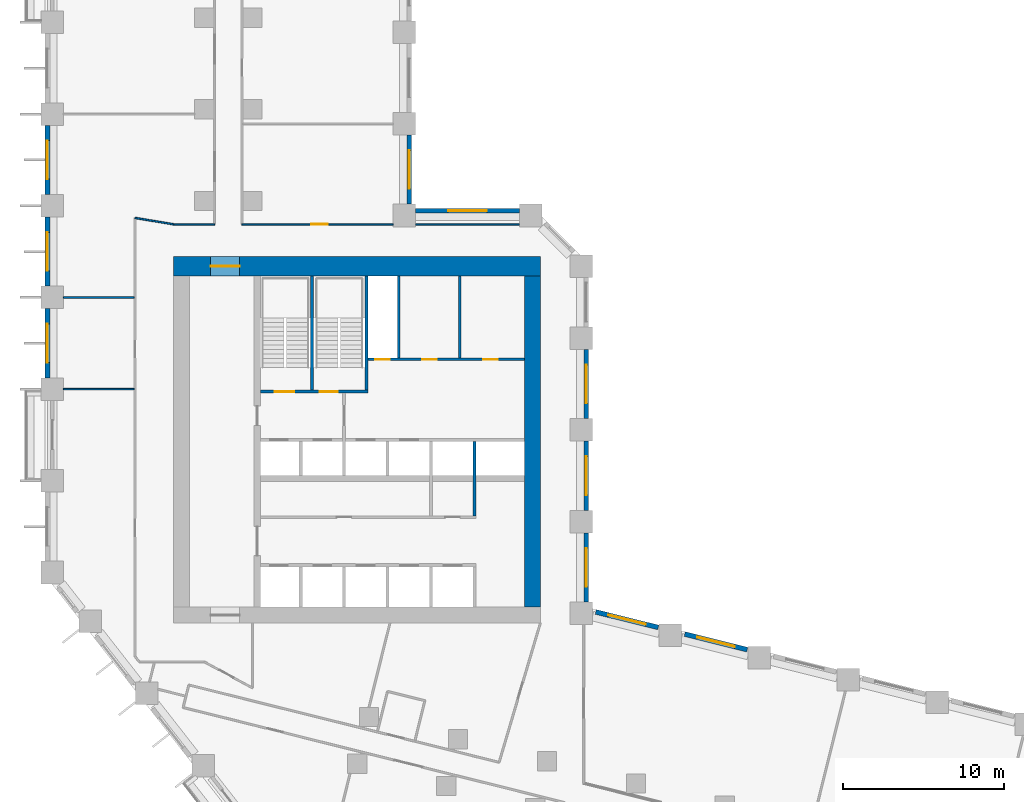
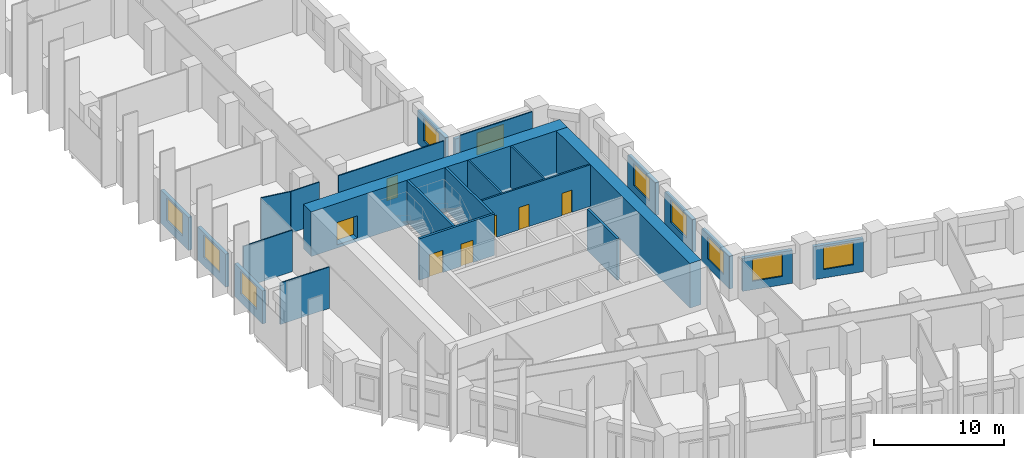
# One storey, part 6 of 12: 25 walls, 10 windows, 7 doors, 17 openings.
"""IFC4 building model written with IfcOpenShell, lengths in metres."""

from ifc_helpers import new_model, si_unit, direction, frame, frame_2d, origin, place, context, subcontext, project, spatial, rectangle, extrude, material, layer, layer_set, type_object, element, fill, save


model = new_model("IFC4")

# Units and contexts
model_context = context("Model", 3, precision=1e-05, world=origin(), true_north=direction((0.0, 1.0)))
body_context = subcontext(model_context, "Body", "Model", "MODEL_VIEW")
ifc_project = project(units=[si_unit("LENGTHUNIT", "METRE"), si_unit("AREAUNIT", "SQUARE_METRE"), si_unit("VOLUMEUNIT", "CUBIC_METRE"), si_unit("PLANEANGLEUNIT", "RADIAN"), si_unit("MASSUNIT", "GRAM", prefix="KILO")], contexts=[model_context])

# Site, building, storey
site_placement = place(None, origin())
site = spatial("IfcSite", under=ifc_project, at=site_placement, CompositionType="ELEMENT")
building_placement = place(site_placement, origin())
building = spatial("IfcBuilding", under=site, at=building_placement, Name="Meshkara Civic Tower", CompositionType="ELEMENT")
storey_placement = place(building_placement, frame((0.0, 0.0, 83.39990234375)))
storey = spatial("IfcBuildingStorey", under=building, at=storey_placement, Name="L18", CompositionType="ELEMENT", Elevation=83.39990234375)

# Wall, openings, doors
ifc_material_1 = material(Name="Blockwork", Category="masonry")
ifc_layer_1 = layer(ifc_material_1, 0.14990234375)
ifc_layer_set_1 = layer_set([ifc_layer_1], Name="Core partition 150")
wall_type_1 = type_object("IfcWallType", Name="Core partition 150", PredefinedType="PARTITIONING", material=ifc_layer_set_1)
wall_1_placement = place(storey_placement, frame((20.10009765625, 30.5, 0.0), z_axis=(0.0, 0.0, 1.0), x_axis=(1.0, 0.0, 0.0)))
wall_1 = element("IfcWall", 1, at=wall_1_placement, inside=storey, type_object=wall_type_1, Name="L18-C010", PredefinedType="PARTITIONING", context=body_context, shape_type="SweptSolid", body=[
    extrude(rectangle(XDim=9.699951171875, YDim=0.14990234375, at=frame_2d((4.85009765625, 0.0))), origin(), (0.0, 0.0, 1.0), 3.900146484375),
])
opening_1_placement = place(wall_1_placement, frame((0.449951171875, 0.0, 0.0)))
opening_1 = element("IfcOpeningElement", 2, at=opening_1_placement, cuts=wall_1, Name="Opening L18-K012", PredefinedType="OPENING", context=body_context, shape_type="SweptSolid", body=[
    extrude(rectangle(XDim=0.89990234375, YDim=2.10009765625, at=frame_2d((0.449951171875, 1.050048828125))), frame((0.0, 0.0849609375, 0.0), z_axis=(0.0, -1.0, 0.0), x_axis=(1.0, 0.0, 0.0)), (0.0, 0.0, 1.0), 0.169921875),
])
opening_2_placement = place(wall_1_placement, frame((3.35009765625, 0.0, 0.0)))
opening_2 = element("IfcOpeningElement", 3, at=opening_2_placement, cuts=wall_1, Name="Opening L18-K013", PredefinedType="OPENING", context=body_context, shape_type="SweptSolid", body=[
    extrude(rectangle(XDim=0.89990234375, YDim=2.10009765625, at=frame_2d((0.449951171875, 1.050048828125))), frame((0.0, 0.0849609375, 0.0), z_axis=(0.0, -1.0, 0.0), x_axis=(1.0, 0.0, 0.0)), (0.0, 0.0, 1.0), 0.169921875),
])
opening_3_placement = place(wall_1_placement, frame((7.14990234375, 0.0, 0.0)))
opening_3 = element("IfcOpeningElement", 4, at=opening_3_placement, cuts=wall_1, Name="Opening L18-K014", PredefinedType="OPENING", context=body_context, shape_type="SweptSolid", body=[
    extrude(rectangle(XDim=0.89990234375, YDim=2.10009765625, at=frame_2d((0.449951171875, 1.050048828125))), frame((0.0, 0.0849609375, 0.0), z_axis=(0.0, -1.0, 0.0), x_axis=(1.0, 0.0, 0.0)), (0.0, 0.0, 1.0), 0.169921875),
])
ifc_material_2 = material(Name="Timber door leaf in steel frame", Category="steel")
door_type_1 = type_object("IfcDoorType", Name="Core room door 900", OperationType="SINGLE_SWING_LEFT", PredefinedType="DOOR", material=ifc_material_2)
door_1_placement = place(opening_2_placement, origin())
door_1 = element("IfcDoor", 5, at=door_1_placement, inside=storey, type_object=door_type_1, Name="L18-K013", OperationType="SINGLE_SWING_RIGHT", OverallHeight=2.10009765625, OverallWidth=0.89990234375, PredefinedType="DOOR", context=body_context, shape_type="SweptSolid", body=[
    extrude(rectangle(XDim=0.89990234375, YDim=2.10009765625, at=frame_2d((0.449951171875, 1.050048828125))), frame((0.0, 0.02490234375, 0.0), z_axis=(0.0, -1.0, 0.0), x_axis=(1.0, 0.0, 0.0)), (0.0, 0.0, 1.0), 0.050048828125),
])
fill(opening_2, door_1)
ifc_material_3 = material(Name="Fire-rated door leaf in steel frame", Category="steel")
door_type_2 = type_object("IfcDoorType", Name="Riser door 900", OperationType="SINGLE_SWING_LEFT", PredefinedType="DOOR", material=ifc_material_3)
door_2_placement = place(opening_1_placement, origin())
door_2 = element("IfcDoor", 6, at=door_2_placement, inside=storey, type_object=door_type_2, Name="L18-K012", OperationType="SINGLE_SWING_RIGHT", OverallHeight=2.10009765625, OverallWidth=0.89990234375, PredefinedType="DOOR", context=body_context, shape_type="SweptSolid", body=[
    extrude(rectangle(XDim=0.89990234375, YDim=2.10009765625, at=frame_2d((0.449951171875, 1.050048828125))), frame((0.0, 0.02490234375, 0.0), z_axis=(0.0, -1.0, 0.0), x_axis=(1.0, 0.0, 0.0)), (0.0, 0.0, 1.0), 0.050048828125),
])
fill(opening_1, door_2)
ifc_material_4 = material(Name="Timber door leaf in steel frame", Category="steel")
door_type_3 = type_object("IfcDoorType", Name="WC door 900", OperationType="SINGLE_SWING_LEFT", PredefinedType="DOOR", material=ifc_material_4)
door_3_placement = place(opening_3_placement, origin())
door_3 = element("IfcDoor", 7, at=door_3_placement, inside=storey, type_object=door_type_3, Name="L18-K014", OperationType="SINGLE_SWING_LEFT", OverallHeight=2.10009765625, OverallWidth=0.89990234375, PredefinedType="DOOR", context=body_context, shape_type="SweptSolid", body=[
    extrude(rectangle(XDim=0.89990234375, YDim=2.10009765625, at=frame_2d((0.449951171875, 1.050048828125))), frame((0.0, 0.02490234375, 0.0), z_axis=(0.0, -1.0, 0.0), x_axis=(1.0, 0.0, 0.0)), (0.0, 0.0, 1.0), 0.050048828125),
])
fill(opening_3, door_3)

# Walls
for number, where, z_axis, x_axis, name in (
    (8, (22.0, 30.574951171875, 0.0), (0.0, 0.0, 1.0), (0.0, 1.0, 0.0), "L18-C020"),
    (9, (25.800048828125, 30.574951171875, 0.0), (0.0, 0.0, 1.0), (0.0, 1.0, 0.0), "L18-C023"),
):
    element("IfcWall", number, at=place(storey_placement, frame(where, z_axis=z_axis, x_axis=x_axis)), inside=storey, type_object=wall_type_1, Name=name, PredefinedType="PARTITIONING", context=body_context, shape_type="SweptSolid", body=[
        extrude(rectangle(XDim=5.125, YDim=0.14990234375, at=frame_2d((2.5625, 0.0))), origin(), (0.0, 0.0, 1.0), 3.900146484375),
    ])
ifc_material_5 = material(Name="Concrete C80", Category="concrete")
ifc_layer_2 = layer(ifc_material_5, 1.0)
ifc_layer_set_2 = layer_set([ifc_layer_2], Name="Core ring wall 1000 C80")
wall_type_2 = type_object("IfcWallType", Name="Core ring wall 1000 C80", PredefinedType="SHEAR", material=ifc_layer_set_2)
wall_2_placement = place(storey_placement, frame((30.300048828125, 15.10009765625, -0.2998046875), z_axis=(0.0, 0.0, 1.0), x_axis=(0.0, 1.0, 0.0)))
element("IfcWall", 10, at=wall_2_placement, inside=storey, type_object=wall_type_2, Name="L18-C004", PredefinedType="SHEAR", context=body_context, shape_type="SweptSolid", body=[
    extrude(rectangle(XDim=20.599853515625, YDim=1.0, at=frame_2d((10.2998046875, 0.0))), origin(), (0.0, 0.0, 1.0), 4.199951171875),
])

# Wall, opening, door
ifc_material_6 = material(Name="Concrete C80", Category="concrete")
ifc_layer_3 = layer(ifc_material_6, 1.199951171875)
ifc_layer_set_3 = layer_set([ifc_layer_3], Name="Core ring wall 1200 C80")
wall_type_3 = type_object("IfcWallType", Name="Core ring wall 1200 C80", PredefinedType="SHEAR", material=ifc_layer_set_3)
wall_3_placement = place(storey_placement, frame((8.0, 36.300048828125, -0.2998046875), z_axis=(0.0, 0.0, 1.0), x_axis=(1.0, 0.0, 0.0)))
wall_3 = element("IfcWall", 11, at=wall_3_placement, inside=storey, type_object=wall_type_3, Name="L18-C002", PredefinedType="SHEAR", context=body_context, shape_type="SweptSolid", body=[
    extrude(rectangle(XDim=22.800048828125, YDim=1.199951171875, at=frame_2d((11.39990234375, 0.0))), origin(), (0.0, 0.0, 1.0), 4.199951171875),
])
opening_4_placement = place(wall_3_placement, frame((2.300048828125, 0.0, 0.300048828125)))
opening_4 = element("IfcOpeningElement", 12, at=opening_4_placement, cuts=wall_3, Name="Opening L18-K020", PredefinedType="OPENING", context=body_context, shape_type="SweptSolid", body=[
    extrude(rectangle(XDim=1.800048828125, YDim=2.10009765625, at=frame_2d((0.89990234375, 1.050048828125))), frame((0.0, 0.60986328125, 0.0), z_axis=(0.0, -1.0, 0.0), x_axis=(1.0, 0.0, 0.0)), (0.0, 0.0, 1.0), 1.219970703125),
])
ifc_material_7 = material(Name="Fire-rated door leaf in steel frame", Category="steel")
door_type_4 = type_object("IfcDoorType", Name="Core double door 1800 EI 60", OperationType="DOUBLE_DOOR_SINGLE_SWING", PredefinedType="DOOR", material=ifc_material_7)
door_4_placement = place(opening_4_placement, origin())
door_4 = element("IfcDoor", 13, at=door_4_placement, inside=storey, type_object=door_type_4, Name="L18-K020", OperationType="DOUBLE_DOOR_SINGLE_SWING", OverallHeight=2.10009765625, OverallWidth=1.800048828125, PredefinedType="DOOR", context=body_context, shape_type="SweptSolid", body=[
    extrude(rectangle(XDim=1.800048828125, YDim=2.10009765625, at=frame_2d((0.89990234375, 1.050048828125))), frame((0.0, 0.02490234375, 0.0), z_axis=(0.0, -1.0, 0.0), x_axis=(1.0, 0.0, 0.0)), (0.0, 0.0, 1.0), 0.050048828125),
])
fill(opening_4, door_4)

# Walls
ifc_material_8 = material(Name="Corridor wall 100")
ifc_layer_4 = layer(ifc_material_8, 0.10009765625)
ifc_layer_set_4 = layer_set([ifc_layer_4], Name="Corridor wall 100")
wall_type_4 = type_object("IfcWallType", Name="Corridor wall 100", PredefinedType="PARTITIONING", material=ifc_layer_set_4)
wall_4_placement = place(storey_placement, frame((8.0, 38.89990234375, 0.0), z_axis=(0.0, 0.0, 1.0), x_axis=(-0.986383073668, 0.16446407505, 0.0)))
element("IfcWall", 14, at=wall_4_placement, inside=storey, type_object=wall_type_4, Name="L18-W007", PredefinedType="PARTITIONING", context=body_context, shape_type="SweptSolid", body=[
    extrude(rectangle(XDim=2.43310546875, YDim=0.10009765625, at=frame_2d((1.216552734375, 0.0))), origin(), (0.0, 0.0, 1.0), 3.900146484375),
])
wall_5_placement = place(storey_placement, frame((10.550048828125, 38.89990234375, 0.0), z_axis=(0.0, 0.0, 1.0), x_axis=(-1.0, 0.0, 0.0)))
element("IfcWall", 15, at=wall_5_placement, inside=storey, type_object=wall_type_4, Name="L18-W012", PredefinedType="PARTITIONING", context=body_context, shape_type="SweptSolid", body=[
    extrude(rectangle(XDim=2.550048828125, YDim=0.10009765625, at=frame_2d((1.27490234375, 0.0))), origin(), (0.0, 0.0, 1.0), 3.900146484375),
])

# Wall, opening, door
wall_6_placement = place(storey_placement, frame((21.64990234375, 38.89990234375, 0.0), z_axis=(0.0, 0.0, 1.0), x_axis=(-1.0, 0.0, 0.0)))
wall_6 = element("IfcWall", 16, at=wall_6_placement, inside=storey, type_object=wall_type_4, Name="L18-W019", PredefinedType="PARTITIONING", context=body_context, shape_type="SweptSolid", body=[
    extrude(rectangle(XDim=9.39990234375, YDim=0.10009765625, at=frame_2d((4.699951171875, 0.0))), origin(), (0.0, 0.0, 1.0), 3.900146484375),
])
opening_5_placement = place(wall_6_placement, frame((4.080078125, 0.0, 0.0)))
opening_5 = element("IfcOpeningElement", 17, at=opening_5_placement, cuts=wall_6, Name="Opening L18-D020", PredefinedType="OPENING", context=body_context, shape_type="SweptSolid", body=[
    extrude(rectangle(XDim=1.0, YDim=2.10009765625, at=frame_2d((0.5, 1.050048828125))), frame((0.0, 0.06005859375, 0.0), z_axis=(0.0, -1.0, 0.0), x_axis=(1.0, 0.0, 0.0)), (0.0, 0.0, 1.0), 0.1201171875),
])
ifc_material_9 = material(Name="Door 1000 x 2100")
door_type_5 = type_object("IfcDoorType", Name="Door 1000 x 2100", OperationType="SINGLE_SWING_LEFT", PredefinedType="DOOR", material=ifc_material_9)
door_5_placement = place(opening_5_placement, origin())
door_5 = element("IfcDoor", 18, at=door_5_placement, inside=storey, type_object=door_type_5, Name="L18-D020", OperationType="SINGLE_SWING_RIGHT", OverallHeight=2.10009765625, OverallWidth=1.0, PredefinedType="DOOR", context=body_context, shape_type="SweptSolid", body=[
    extrude(rectangle(XDim=1.0, YDim=2.10009765625, at=frame_2d((0.5, 1.050048828125))), frame((0.0, 0.02490234375, 0.0), z_axis=(0.0, -1.0, 0.0), x_axis=(1.0, 0.0, 0.0)), (0.0, 0.0, 1.0), 0.050048828125),
])
fill(opening_5, door_5)

# Wall
wall_7_placement = place(storey_placement, frame((29.493896484375, 38.89990234375, 0.0), z_axis=(0.0, 0.0, 1.0), x_axis=(-1.0, 0.0, 0.0)))
element("IfcWall", 19, at=wall_7_placement, inside=storey, type_object=wall_type_4, Name="L18-W020", PredefinedType="PARTITIONING", context=body_context, shape_type="SweptSolid", body=[
    extrude(rectangle(XDim=6.44384765625, YDim=0.10009765625, at=frame_2d((3.221923828125, 0.0))), origin(), (0.0, 0.0, 1.0), 3.900146484375),
])

# Wall, opening, window
ifc_material_10 = material(Name="Insulated infill panel with bronze anodised aluminium cladding", Category="aluminium")
ifc_layer_5 = layer(ifc_material_10, 0.300048828125)
ifc_layer_set_5 = layer_set([ifc_layer_5], Name="EXTERNAL INFILL WALL 300")
wall_type_5 = type_object("IfcWallType", Name="EXTERNAL INFILL WALL 300", PredefinedType="SOLIDWALL", material=ifc_layer_set_5)
wall_8_placement = place(storey_placement, frame((43.659912109375, 12.4580078125, 0.0), z_axis=(0.0, 0.0, 1.0), x_axis=(-0.970300202301, 0.241903942538, 0.0)))
wall_8 = element("IfcWall", 20, at=wall_8_placement, inside=storey, type_object=wall_type_5, Name="External wall", PredefinedType="SOLIDWALL", context=body_context, shape_type="SweptSolid", body=[
    extrude(rectangle(XDim=4.001708984375, YDim=0.300048828125, at=frame_2d((2.0009765625, 0.0))), origin(), (0.0, 0.0, 1.0), 3.10009765625),
])
opening_6_placement = place(wall_8_placement, frame((0.801025390625, 0.0, 0.800048828125)))
opening_6 = element("IfcOpeningElement", 21, at=opening_6_placement, cuts=wall_8, Name="Opening W7", PredefinedType="OPENING", context=body_context, shape_type="SweptSolid", body=[
    extrude(rectangle(XDim=2.39990234375, YDim=2.10009765625, at=frame_2d((1.199951171875, 1.050048828125))), frame((0.0, 0.159912109375, 0.0), z_axis=(0.0, -1.0, 0.0), x_axis=(1.0, 0.0, 0.0)), (0.0, 0.0, 1.0), 0.320068359375),
])
ifc_material_11 = material(Name="Tinted double glazing", Category="glass")
window_type = type_object("IfcWindowType", Name="WINDOW 2400x2100", PartitioningType="DOUBLE_PANEL_VERTICAL", PredefinedType="WINDOW", material=ifc_material_11)
window_1_placement = place(opening_6_placement, origin())
window_1 = element("IfcWindow", 22, at=window_1_placement, inside=storey, type_object=window_type, Name="Window", OverallHeight=2.10009765625, OverallWidth=2.39990234375, PartitioningType="DOUBLE_PANEL_VERTICAL", PredefinedType="WINDOW", context=body_context, shape_type="SweptSolid", body=[
    extrude(rectangle(XDim=2.39990234375, YDim=2.10009765625, at=frame_2d((1.199951171875, 1.050048828125))), frame((0.0, 0.030029296875, 0.0), z_axis=(0.0, -1.0, 0.0), x_axis=(1.0, 0.0, 0.0)), (0.0, 0.0, 1.0), 0.06005859375),
])
fill(opening_6, window_1)

wall_9_placement = place(storey_placement, frame((38.1298828125, 13.8369140625, 0.0), z_axis=(0.0, 0.0, 1.0), x_axis=(-0.970314477803, 0.241846674911, 0.0)))
wall_9 = element("IfcWall", 23, at=wall_9_placement, inside=storey, type_object=wall_type_5, Name="External wall", PredefinedType="SOLIDWALL", context=body_context, shape_type="SweptSolid", body=[
    extrude(rectangle(XDim=4.002685546875, YDim=0.300048828125, at=frame_2d((2.00146484375, 0.0))), origin(), (0.0, 0.0, 1.0), 3.10009765625),
])
opening_7_placement = place(wall_9_placement, frame((0.802001953125, 0.0, 0.800048828125)))
opening_7 = element("IfcOpeningElement", 24, at=opening_7_placement, cuts=wall_9, Name="Opening W7", PredefinedType="OPENING", context=body_context, shape_type="SweptSolid", body=[
    extrude(rectangle(XDim=2.39990234375, YDim=2.10009765625, at=frame_2d((1.199951171875, 1.050048828125))), frame((0.0, 0.159912109375, 0.0), z_axis=(0.0, -1.0, 0.0), x_axis=(1.0, 0.0, 0.0)), (0.0, 0.0, 1.0), 0.320068359375),
])
window_2_placement = place(opening_7_placement, origin())
window_2 = element("IfcWindow", 25, at=window_2_placement, inside=storey, type_object=window_type, Name="Window", OverallHeight=2.10009765625, OverallWidth=2.39990234375, PartitioningType="DOUBLE_PANEL_VERTICAL", PredefinedType="WINDOW", context=body_context, shape_type="SweptSolid", body=[
    extrude(rectangle(XDim=2.39990234375, YDim=2.10009765625, at=frame_2d((1.199951171875, 1.050048828125))), frame((0.0, 0.030029296875, 0.0), z_axis=(0.0, -1.0, 0.0), x_axis=(1.0, 0.0, 0.0)), (0.0, 0.0, 1.0), 0.06005859375),
])
fill(opening_7, window_2)

wall_10_placement = place(storey_placement, frame((33.64990234375, 15.4189453125, 0.0), z_axis=(0.0, 0.0, 1.0), x_axis=(0.0, 1.0, 0.0)))
wall_10 = element("IfcWall", 26, at=wall_10_placement, inside=storey, type_object=wall_type_5, Name="External wall", PredefinedType="SOLIDWALL", context=body_context, shape_type="SweptSolid", body=[
    extrude(rectangle(XDim=4.300048828125, YDim=0.300048828125, at=frame_2d((2.14990234375, 0.0))), origin(), (0.0, 0.0, 1.0), 3.10009765625),
])
opening_8_placement = place(wall_10_placement, frame((0.949951171875, 0.0, 0.800048828125)))
opening_8 = element("IfcOpeningElement", 27, at=opening_8_placement, cuts=wall_10, Name="Opening W7", PredefinedType="OPENING", context=body_context, shape_type="SweptSolid", body=[
    extrude(rectangle(XDim=2.39990234375, YDim=2.10009765625, at=frame_2d((1.199951171875, 1.050048828125))), frame((0.0, 0.159912109375, 0.0), z_axis=(0.0, -1.0, 0.0), x_axis=(1.0, 0.0, 0.0)), (0.0, 0.0, 1.0), 0.320068359375),
])
window_3_placement = place(opening_8_placement, origin())
window_3 = element("IfcWindow", 28, at=window_3_placement, inside=storey, type_object=window_type, Name="Window", OverallHeight=2.10009765625, OverallWidth=2.39990234375, PartitioningType="DOUBLE_PANEL_VERTICAL", PredefinedType="WINDOW", context=body_context, shape_type="SweptSolid", body=[
    extrude(rectangle(XDim=2.39990234375, YDim=2.10009765625, at=frame_2d((1.199951171875, 1.050048828125))), frame((0.0, 0.030029296875, 0.0), z_axis=(0.0, -1.0, 0.0), x_axis=(1.0, 0.0, 0.0)), (0.0, 0.0, 1.0), 0.06005859375),
])
fill(opening_8, window_3)

wall_11_placement = place(storey_placement, frame((33.64990234375, 21.118896484375, 0.0), z_axis=(0.0, 0.0, 1.0), x_axis=(0.0, 1.0, 0.0)))
wall_11 = element("IfcWall", 29, at=wall_11_placement, inside=storey, type_object=wall_type_5, Name="External wall", PredefinedType="SOLIDWALL", context=body_context, shape_type="SweptSolid", body=[
    extrude(rectangle(XDim=4.300048828125, YDim=0.300048828125, at=frame_2d((2.14990234375, 0.0))), origin(), (0.0, 0.0, 1.0), 3.10009765625),
])
opening_9_placement = place(wall_11_placement, frame((0.949951171875, 0.0, 0.800048828125)))
opening_9 = element("IfcOpeningElement", 30, at=opening_9_placement, cuts=wall_11, Name="Opening W7", PredefinedType="OPENING", context=body_context, shape_type="SweptSolid", body=[
    extrude(rectangle(XDim=2.39990234375, YDim=2.10009765625, at=frame_2d((1.199951171875, 1.050048828125))), frame((0.0, 0.159912109375, 0.0), z_axis=(0.0, -1.0, 0.0), x_axis=(1.0, 0.0, 0.0)), (0.0, 0.0, 1.0), 0.320068359375),
])
window_4_placement = place(opening_9_placement, origin())
window_4 = element("IfcWindow", 31, at=window_4_placement, inside=storey, type_object=window_type, Name="Window", OverallHeight=2.10009765625, OverallWidth=2.39990234375, PartitioningType="DOUBLE_PANEL_VERTICAL", PredefinedType="WINDOW", context=body_context, shape_type="SweptSolid", body=[
    extrude(rectangle(XDim=2.39990234375, YDim=2.10009765625, at=frame_2d((1.199951171875, 1.050048828125))), frame((0.0, 0.030029296875, 0.0), z_axis=(0.0, -1.0, 0.0), x_axis=(1.0, 0.0, 0.0)), (0.0, 0.0, 1.0), 0.06005859375),
])
fill(opening_9, window_4)

wall_12_placement = place(storey_placement, frame((33.64990234375, 26.819091796875, 0.0), z_axis=(0.0, 0.0, 1.0), x_axis=(0.0, 1.0, 0.0)))
wall_12 = element("IfcWall", 32, at=wall_12_placement, inside=storey, type_object=wall_type_5, Name="External wall", PredefinedType="SOLIDWALL", context=body_context, shape_type="SweptSolid", body=[
    extrude(rectangle(XDim=4.2998046875, YDim=0.300048828125, at=frame_2d((2.14990234375, 0.0))), origin(), (0.0, 0.0, 1.0), 3.10009765625),
])
opening_10_placement = place(wall_12_placement, frame((0.949951171875, 0.0, 0.800048828125)))
opening_10 = element("IfcOpeningElement", 33, at=opening_10_placement, cuts=wall_12, Name="Opening W7", PredefinedType="OPENING", context=body_context, shape_type="SweptSolid", body=[
    extrude(rectangle(XDim=2.39990234375, YDim=2.10009765625, at=frame_2d((1.199951171875, 1.050048828125))), frame((0.0, 0.159912109375, 0.0), z_axis=(0.0, -1.0, 0.0), x_axis=(1.0, 0.0, 0.0)), (0.0, 0.0, 1.0), 0.320068359375),
])
window_5_placement = place(opening_10_placement, origin())
window_5 = element("IfcWindow", 34, at=window_5_placement, inside=storey, type_object=window_type, Name="Window", OverallHeight=2.10009765625, OverallWidth=2.39990234375, PartitioningType="DOUBLE_PANEL_VERTICAL", PredefinedType="WINDOW", context=body_context, shape_type="SweptSolid", body=[
    extrude(rectangle(XDim=2.39990234375, YDim=2.10009765625, at=frame_2d((1.199951171875, 1.050048828125))), frame((0.0, 0.030029296875, 0.0), z_axis=(0.0, -1.0, 0.0), x_axis=(1.0, 0.0, 0.0)), (0.0, 0.0, 1.0), 0.06005859375),
])
fill(opening_10, window_5)

wall_13_placement = place(storey_placement, frame((29.493896484375, 39.75, 0.0), z_axis=(0.0, 0.0, 1.0), x_axis=(-1.0, 0.0, 0.0)))
wall_13 = element("IfcWall", 35, at=wall_13_placement, inside=storey, type_object=wall_type_5, Name="External wall", PredefinedType="SOLIDWALL", context=body_context, shape_type="SweptSolid", body=[
    extrude(rectangle(XDim=6.44384765625, YDim=0.300048828125, at=frame_2d((3.221923828125, 0.0))), origin(), (0.0, 0.0, 1.0), 3.10009765625),
])
opening_11_placement = place(wall_13_placement, frame((2.02197265625, 0.0, 0.800048828125)))
opening_11 = element("IfcOpeningElement", 36, at=opening_11_placement, cuts=wall_13, Name="Opening W7", PredefinedType="OPENING", context=body_context, shape_type="SweptSolid", body=[
    extrude(rectangle(XDim=2.39990234375, YDim=2.10009765625, at=frame_2d((1.199951171875, 1.050048828125))), frame((0.0, 0.159912109375, 0.0), z_axis=(0.0, -1.0, 0.0), x_axis=(1.0, 0.0, 0.0)), (0.0, 0.0, 1.0), 0.320068359375),
])
window_6_placement = place(opening_11_placement, origin())
window_6 = element("IfcWindow", 37, at=window_6_placement, inside=storey, type_object=window_type, Name="Window", OverallHeight=2.10009765625, OverallWidth=2.39990234375, PartitioningType="DOUBLE_PANEL_VERTICAL", PredefinedType="WINDOW", context=body_context, shape_type="SweptSolid", body=[
    extrude(rectangle(XDim=2.39990234375, YDim=2.10009765625, at=frame_2d((1.199951171875, 1.050048828125))), frame((0.0, 0.030029296875, 0.0), z_axis=(0.0, -1.0, 0.0), x_axis=(1.0, 0.0, 0.0)), (0.0, 0.0, 1.0), 0.06005859375),
])
fill(opening_11, window_6)

wall_14_placement = place(storey_placement, frame((22.64990234375, 40.14990234375, 0.0), z_axis=(0.0, 0.0, 1.0), x_axis=(0.0, 1.0, 0.0)))
wall_14 = element("IfcWall", 38, at=wall_14_placement, inside=storey, type_object=wall_type_5, Name="External wall", PredefinedType="SOLIDWALL", context=body_context, shape_type="SweptSolid", body=[
    extrude(rectangle(XDim=4.300048828125, YDim=0.300048828125, at=frame_2d((2.14990234375, 0.0))), origin(), (0.0, 0.0, 1.0), 3.10009765625),
])
opening_12_placement = place(wall_14_placement, frame((0.949951171875, 0.0, 0.800048828125)))
opening_12 = element("IfcOpeningElement", 39, at=opening_12_placement, cuts=wall_14, Name="Opening W7", PredefinedType="OPENING", context=body_context, shape_type="SweptSolid", body=[
    extrude(rectangle(XDim=2.39990234375, YDim=2.10009765625, at=frame_2d((1.199951171875, 1.050048828125))), frame((0.0, 0.159912109375, 0.0), z_axis=(0.0, -1.0, 0.0), x_axis=(1.0, 0.0, 0.0)), (0.0, 0.0, 1.0), 0.320068359375),
])
window_7_placement = place(opening_12_placement, origin())
window_7 = element("IfcWindow", 40, at=window_7_placement, inside=storey, type_object=window_type, Name="Window", OverallHeight=2.10009765625, OverallWidth=2.39990234375, PartitioningType="DOUBLE_PANEL_VERTICAL", PredefinedType="WINDOW", context=body_context, shape_type="SweptSolid", body=[
    extrude(rectangle(XDim=2.39990234375, YDim=2.10009765625, at=frame_2d((1.199951171875, 1.050048828125))), frame((0.0, 0.030029296875, 0.0), z_axis=(0.0, -1.0, 0.0), x_axis=(1.0, 0.0, 0.0)), (0.0, 0.0, 1.0), 0.06005859375),
])
fill(opening_12, window_7)

wall_15_placement = place(storey_placement, frame((0.14990234375, 45.054931640625, 0.0), z_axis=(0.0, 0.0, 1.0), x_axis=(0.0, -1.0, 0.0)))
wall_15 = element("IfcWall", 41, at=wall_15_placement, inside=storey, type_object=wall_type_5, Name="External wall", PredefinedType="SOLIDWALL", context=body_context, shape_type="SweptSolid", body=[
    extrude(rectangle(XDim=4.300048828125, YDim=0.300048828125, at=frame_2d((2.14990234375, 0.0))), origin(), (0.0, 0.0, 1.0), 3.10009765625),
])
opening_13_placement = place(wall_15_placement, frame((0.949951171875, 0.0, 0.800048828125)))
opening_13 = element("IfcOpeningElement", 42, at=opening_13_placement, cuts=wall_15, Name="Opening W7", PredefinedType="OPENING", context=body_context, shape_type="SweptSolid", body=[
    extrude(rectangle(XDim=2.39990234375, YDim=2.10009765625, at=frame_2d((1.199951171875, 1.050048828125))), frame((0.0, 0.159912109375, 0.0), z_axis=(0.0, -1.0, 0.0), x_axis=(1.0, 0.0, 0.0)), (0.0, 0.0, 1.0), 0.320068359375),
])
window_8_placement = place(opening_13_placement, origin())
window_8 = element("IfcWindow", 43, at=window_8_placement, inside=storey, type_object=window_type, Name="Window", OverallHeight=2.10009765625, OverallWidth=2.39990234375, PartitioningType="DOUBLE_PANEL_VERTICAL", PredefinedType="WINDOW", context=body_context, shape_type="SweptSolid", body=[
    extrude(rectangle(XDim=2.39990234375, YDim=2.10009765625, at=frame_2d((1.199951171875, 1.050048828125))), frame((0.0, 0.030029296875, 0.0), z_axis=(0.0, -1.0, 0.0), x_axis=(1.0, 0.0, 0.0)), (0.0, 0.0, 1.0), 0.06005859375),
])
fill(opening_13, window_8)

wall_16_placement = place(storey_placement, frame((0.14990234375, 39.35498046875, 0.0), z_axis=(0.0, 0.0, 1.0), x_axis=(0.0, -1.0, 0.0)))
wall_16 = element("IfcWall", 44, at=wall_16_placement, inside=storey, type_object=wall_type_5, Name="External wall", PredefinedType="SOLIDWALL", context=body_context, shape_type="SweptSolid", body=[
    extrude(rectangle(XDim=4.300048828125, YDim=0.300048828125, at=frame_2d((2.14990234375, 0.0))), origin(), (0.0, 0.0, 1.0), 3.10009765625),
])
opening_14_placement = place(wall_16_placement, frame((0.949951171875, 0.0, 0.800048828125)))
opening_14 = element("IfcOpeningElement", 45, at=opening_14_placement, cuts=wall_16, Name="Opening W7", PredefinedType="OPENING", context=body_context, shape_type="SweptSolid", body=[
    extrude(rectangle(XDim=2.39990234375, YDim=2.10009765625, at=frame_2d((1.199951171875, 1.050048828125))), frame((0.0, 0.159912109375, 0.0), z_axis=(0.0, -1.0, 0.0), x_axis=(1.0, 0.0, 0.0)), (0.0, 0.0, 1.0), 0.320068359375),
])
window_9_placement = place(opening_14_placement, origin())
window_9 = element("IfcWindow", 46, at=window_9_placement, inside=storey, type_object=window_type, Name="Window", OverallHeight=2.10009765625, OverallWidth=2.39990234375, PartitioningType="DOUBLE_PANEL_VERTICAL", PredefinedType="WINDOW", context=body_context, shape_type="SweptSolid", body=[
    extrude(rectangle(XDim=2.39990234375, YDim=2.10009765625, at=frame_2d((1.199951171875, 1.050048828125))), frame((0.0, 0.030029296875, 0.0), z_axis=(0.0, -1.0, 0.0), x_axis=(1.0, 0.0, 0.0)), (0.0, 0.0, 1.0), 0.06005859375),
])
fill(opening_14, window_9)

wall_17_placement = place(storey_placement, frame((0.14990234375, 33.655029296875, 0.0), z_axis=(0.0, 0.0, 1.0), x_axis=(0.0, -1.0, 0.0)))
wall_17 = element("IfcWall", 47, at=wall_17_placement, inside=storey, type_object=wall_type_5, Name="External wall", PredefinedType="SOLIDWALL", context=body_context, shape_type="SweptSolid", body=[
    extrude(rectangle(XDim=4.300048828125, YDim=0.300048828125, at=frame_2d((2.14990234375, 0.0))), origin(), (0.0, 0.0, 1.0), 3.10009765625),
])
opening_15_placement = place(wall_17_placement, frame((0.949951171875, 0.0, 0.800048828125)))
opening_15 = element("IfcOpeningElement", 48, at=opening_15_placement, cuts=wall_17, Name="Opening W7", PredefinedType="OPENING", context=body_context, shape_type="SweptSolid", body=[
    extrude(rectangle(XDim=2.39990234375, YDim=2.10009765625, at=frame_2d((1.199951171875, 1.050048828125))), frame((0.0, 0.159912109375, 0.0), z_axis=(0.0, -1.0, 0.0), x_axis=(1.0, 0.0, 0.0)), (0.0, 0.0, 1.0), 0.320068359375),
])
window_10_placement = place(opening_15_placement, origin())
window_10 = element("IfcWindow", 49, at=window_10_placement, inside=storey, type_object=window_type, Name="Window", OverallHeight=2.10009765625, OverallWidth=2.39990234375, PartitioningType="DOUBLE_PANEL_VERTICAL", PredefinedType="WINDOW", context=body_context, shape_type="SweptSolid", body=[
    extrude(rectangle(XDim=2.39990234375, YDim=2.10009765625, at=frame_2d((1.199951171875, 1.050048828125))), frame((0.0, 0.030029296875, 0.0), z_axis=(0.0, -1.0, 0.0), x_axis=(1.0, 0.0, 0.0)), (0.0, 0.0, 1.0), 0.06005859375),
])
fill(opening_15, window_10)

# Walls
ifc_material_12 = material(Name="Partition 100")
ifc_layer_6 = layer(ifc_material_12, 0.10009765625)
ifc_layer_set_6 = layer_set([ifc_layer_6], Name="Partition 100")
wall_type_6 = type_object("IfcWallType", Name="Partition 100", PredefinedType="PARTITIONING", material=ifc_layer_set_6)
for number, where, z_axis, x_axis, name in (
    (50, (5.550048828125, 28.655029296875, 0.0), (0.0, 0.0, 1.0), (-1.0, 0.0, 0.0), "L18-W032"),
    (51, (5.550048828125, 34.35498046875, 0.0), (0.0, 0.0, 1.0), (-1.0, 0.0, 0.0), "L18-W033"),
):
    element("IfcWall", number, at=place(storey_placement, frame(where, z_axis=z_axis, x_axis=x_axis)), inside=storey, type_object=wall_type_6, Name=name, PredefinedType="PARTITIONING", context=body_context, shape_type="SweptSolid", body=[
        extrude(rectangle(XDim=4.400146484375, YDim=0.10009765625, at=frame_2d((2.2001953125, 0.0))), origin(), (0.0, 0.0, 1.0), 3.900146484375),
    ])
ifc_material_13 = material(Name="Concrete C40/50", Category="concrete")
ifc_layer_7 = layer(ifc_material_13, 0.199951171875)
ifc_layer_set_7 = layer_set([ifc_layer_7], Name="Shaft wall 200 C40/50")
wall_type_7 = type_object("IfcWallType", Name="Shaft wall 200 C40/50", PredefinedType="SOLIDWALL", material=ifc_layer_set_7)
wall_18_placement = place(storey_placement, frame((26.699951171875, 20.77490234375, 0.0), z_axis=(0.0, 0.0, 1.0), x_axis=(0.0, 1.0, 0.0)))
element("IfcWall", 52, at=wall_18_placement, inside=storey, type_object=wall_type_7, Name="L18-C025", PredefinedType="SOLIDWALL", context=body_context, shape_type="SweptSolid", body=[
    extrude(rectangle(XDim=4.625, YDim=0.199951171875, at=frame_2d((2.3125, 0.0))), origin(), (0.0, 0.0, 1.0), 3.900146484375),
])

# Wall, openings, doors
ifc_material_14 = material(Name="Concrete C40/50", Category="concrete")
ifc_layer_8 = layer(ifc_material_14, 0.199951171875)
ifc_layer_set_8 = layer_set([ifc_layer_8], Name="Stair enclosure wall 200 C40/50")
wall_type_8 = type_object("IfcWallType", Name="Stair enclosure wall 200 C40/50", PredefinedType="SOLIDWALL", material=ifc_layer_set_8)
wall_19_placement = place(storey_placement, frame((13.39990234375, 28.5, 0.0), z_axis=(0.0, 0.0, 1.0), x_axis=(1.0, 0.0, 0.0)))
wall_19 = element("IfcWall", 53, at=wall_19_placement, inside=storey, type_object=wall_type_8, Name="L18-C009", PredefinedType="SOLIDWALL", context=body_context, shape_type="SweptSolid", body=[
    extrude(rectangle(XDim=6.7001953125, YDim=0.199951171875, at=frame_2d((3.35009765625, 0.0))), origin(), (0.0, 0.0, 1.0), 3.900146484375),
])
opening_16_placement = place(wall_19_placement, frame((0.89990234375, 0.0, 0.0)))
opening_16 = element("IfcOpeningElement", 54, at=opening_16_placement, cuts=wall_19, Name="Opening L18-K015", PredefinedType="OPENING", context=body_context, shape_type="SweptSolid", body=[
    extrude(rectangle(XDim=1.199951171875, YDim=2.10009765625, at=frame_2d((0.60009765625, 1.050048828125))), frame((0.0, 0.10986328125, 0.0), z_axis=(0.0, -1.0, 0.0), x_axis=(1.0, 0.0, 0.0)), (0.0, 0.0, 1.0), 0.219970703125),
])
opening_17_placement = place(wall_19_placement, frame((3.699951171875, 0.0, 0.0)))
opening_17 = element("IfcOpeningElement", 55, at=opening_17_placement, cuts=wall_19, Name="Opening L18-K016", PredefinedType="OPENING", context=body_context, shape_type="SweptSolid", body=[
    extrude(rectangle(XDim=1.10009765625, YDim=2.10009765625, at=frame_2d((0.550048828125, 1.050048828125))), frame((0.0, 0.10986328125, 0.0), z_axis=(0.0, -1.0, 0.0), x_axis=(1.0, 0.0, 0.0)), (0.0, 0.0, 1.0), 0.219970703125),
])
ifc_material_15 = material(Name="Fire-rated door leaf in steel frame", Category="steel")
door_type_6 = type_object("IfcDoorType", Name="Stair door 1100 EI 120", OperationType="SINGLE_SWING_LEFT", PredefinedType="DOOR", material=ifc_material_15)
door_6_placement = place(opening_17_placement, origin())
door_6 = element("IfcDoor", 56, at=door_6_placement, inside=storey, type_object=door_type_6, Name="L18-K016", OperationType="SINGLE_SWING_LEFT", OverallHeight=2.10009765625, OverallWidth=1.10009765625, PredefinedType="DOOR", context=body_context, shape_type="SweptSolid", body=[
    extrude(rectangle(XDim=1.10009765625, YDim=2.10009765625, at=frame_2d((0.550048828125, 1.050048828125))), frame((0.0, 0.02490234375, 0.0), z_axis=(0.0, -1.0, 0.0), x_axis=(1.0, 0.0, 0.0)), (0.0, 0.0, 1.0), 0.050048828125),
])
fill(opening_17, door_6)
ifc_material_16 = material(Name="Fire-rated door leaf in steel frame", Category="steel")
door_type_7 = type_object("IfcDoorType", Name="Stair door 1200 EI 120", OperationType="SINGLE_SWING_LEFT", PredefinedType="DOOR", material=ifc_material_16)
door_7_placement = place(opening_16_placement, origin())
door_7 = element("IfcDoor", 57, at=door_7_placement, inside=storey, type_object=door_type_7, Name="L18-K015", OperationType="SINGLE_SWING_RIGHT", OverallHeight=2.10009765625, OverallWidth=1.199951171875, PredefinedType="DOOR", context=body_context, shape_type="SweptSolid", body=[
    extrude(rectangle(XDim=1.199951171875, YDim=2.10009765625, at=frame_2d((0.60009765625, 1.050048828125))), frame((0.0, 0.02490234375, 0.0), z_axis=(0.0, -1.0, 0.0), x_axis=(1.0, 0.0, 0.0)), (0.0, 0.0, 1.0), 0.050048828125),
])
fill(opening_16, door_7)

# Walls
for number, where, z_axis, x_axis, name in (
    (58, (16.60009765625, 28.60009765625, 0.0), (0.0, 0.0, 1.0), (0.0, 1.0, 0.0), "L18-C014"),
    (59, (20.0, 28.60009765625, 0.0), (0.0, 0.0, 1.0), (0.0, 1.0, 0.0), "L18-C017"),
):
    element("IfcWall", number, at=place(storey_placement, frame(where, z_axis=z_axis, x_axis=x_axis)), inside=storey, type_object=wall_type_8, Name=name, PredefinedType="SOLIDWALL", context=body_context, shape_type="SweptSolid", body=[
        extrude(rectangle(XDim=7.099853515625, YDim=0.199951171875, at=frame_2d((3.5498046875, 0.0))), origin(), (0.0, 0.0, 1.0), 3.900146484375),
    ])

save(model, "model.ifc")
